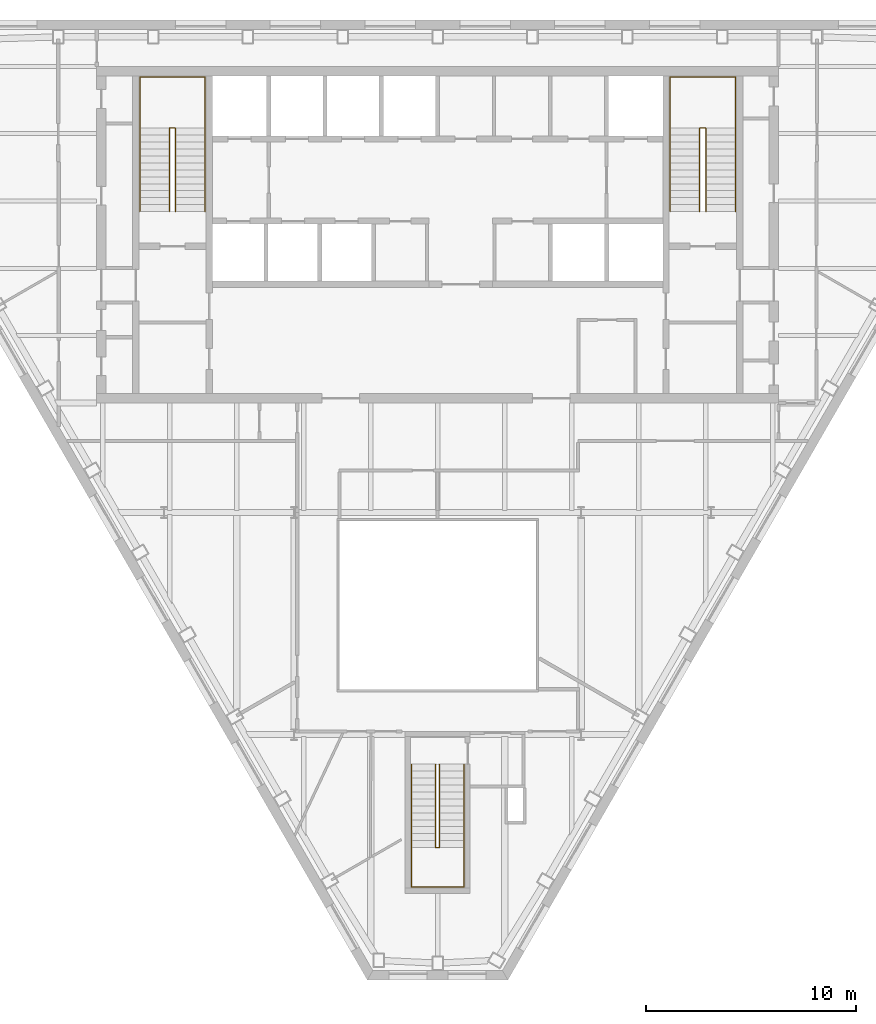
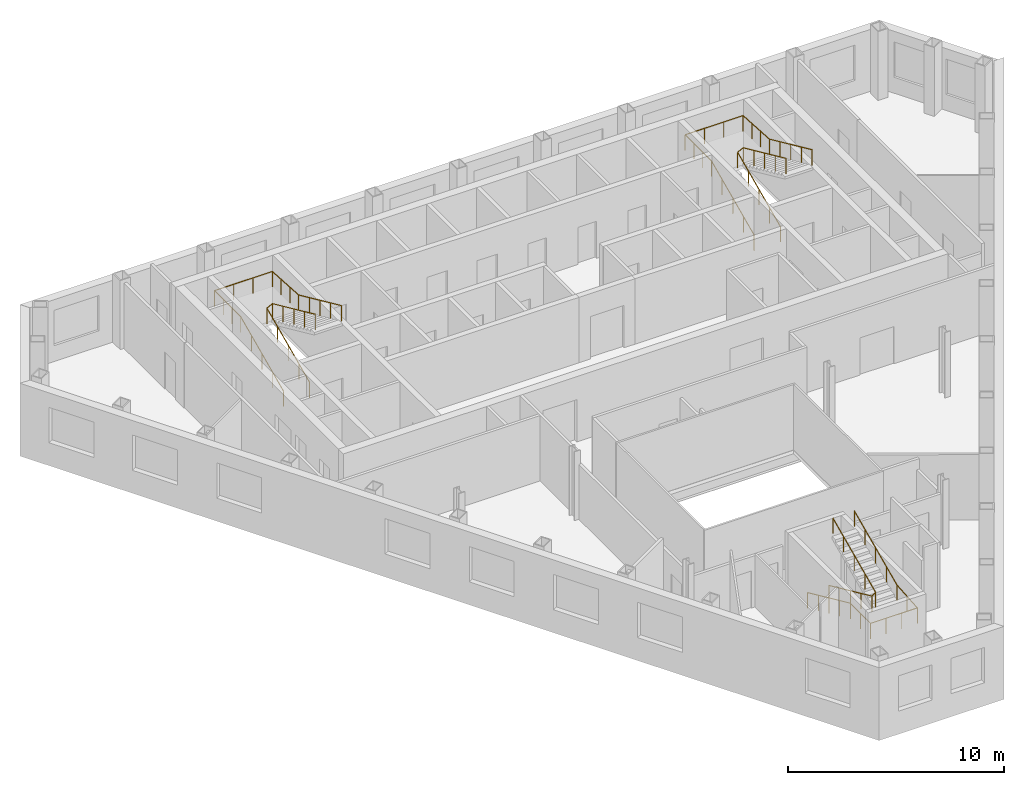
# One storey, part 10 of 10: 6 railings.
"""IFC4 building model written with IfcOpenShell, lengths in metres."""

from ifc_helpers import new_model, si_unit, direction, frame, origin, origin_2d, place, context, subcontext, project, spatial, circle, extrude, material, type_object, element, save


model = new_model("IFC4")

# Units and contexts
model_context = context("Model", 3, precision=1e-05, world=origin(), true_north=direction((0.0, 1.0)))
body_context = subcontext(model_context, "Body", "Model", "MODEL_VIEW")
ifc_project = project(units=[si_unit("LENGTHUNIT", "METRE"), si_unit("AREAUNIT", "SQUARE_METRE"), si_unit("VOLUMEUNIT", "CUBIC_METRE"), si_unit("PLANEANGLEUNIT", "RADIAN"), si_unit("MASSUNIT", "GRAM", prefix="KILO")], contexts=[model_context])

# Site, building, storey
site_placement = place(None, origin())
site = spatial("IfcSite", under=ifc_project, at=site_placement, CompositionType="ELEMENT")
building_placement = place(site_placement, origin())
building = spatial("IfcBuilding", under=site, at=building_placement, Name="Njiva Tower", CompositionType="ELEMENT")
storey_placement = place(building_placement, frame((0.0, 0.0, 235.5)))
storey = spatial("IfcBuildingStorey", under=building, at=storey_placement, Name="L53", CompositionType="ELEMENT", Elevation=235.5)

# Railings
ifc_material = material(Name="Stainless steel", Category="steel")
railing_type = type_object("IfcRailingType", Name="RL1 Stair handrail 900", PredefinedType="HANDRAIL", material=ifc_material)
railing_1_placement = place(storey_placement, frame((-14.15, 11.1, 0.15)))
element("IfcRailing", 1, at=railing_1_placement, inside=storey, type_object=railing_type, Name="Stair A handrail", PredefinedType="HANDRAIL", context=body_context, shape_type="SweptSolid", body=[
    extrude(circle(Radius=0.024, at=origin_2d()), frame((0.0, 0.0, 0.876), z_axis=(0.0, 0.910366477463, 0.413802944301), x_axis=(-1.0, 0.0, 0.0)), (0.0, 0.0, 1.0), 4.3499),
    extrude(circle(Radius=0.024, at=origin_2d()), frame((0.0, 3.96, 2.676), z_axis=(0.0, 1.0, 0.0), x_axis=(-1.0, 0.0, 0.0)), (0.0, 0.0, 1.0), 2.44),
    extrude(circle(Radius=0.024, at=origin_2d()), frame((0.0, 6.4, 2.676), z_axis=(1.0, 0.0, 0.0), x_axis=(0.0, 1.0, 0.0)), (0.0, 0.0, 1.0), 3.1),
    extrude(circle(Radius=0.024, at=origin_2d()), frame((3.1, 6.4, 2.676), z_axis=(0.0, -0.998115726137, 0.061359573328), x_axis=(1.0, 0.0, 0.0)), (0.0, 0.0, 1.0), 2.4446),
    extrude(circle(Radius=0.024, at=origin_2d()), frame((3.1, 3.96, 2.826), z_axis=(0.0, -0.910366477463, 0.413802944301), x_axis=(1.0, 0.0, 0.0)), (0.0, 0.0, 1.0), 4.3499),
    extrude(circle(Radius=0.021, at=origin_2d()), origin(), (0.0, 0.0, 1.0), 0.852),
    extrude(circle(Radius=0.021, at=origin_2d()), frame((0.0, 0.99, 0.45)), (0.0, 0.0, 1.0), 0.852),
    extrude(circle(Radius=0.021, at=origin_2d()), frame((0.0, 1.98, 0.9)), (0.0, 0.0, 1.0), 0.852),
    extrude(circle(Radius=0.021, at=origin_2d()), frame((0.0, 2.97, 1.35)), (0.0, 0.0, 1.0), 0.852),
    extrude(circle(Radius=0.021, at=origin_2d()), frame((0.0, 3.96, 1.8)), (0.0, 0.0, 1.0), 0.852),
    extrude(circle(Radius=0.021, at=origin_2d()), frame((0.0, 4.7733, 1.8)), (0.0, 0.0, 1.0), 0.852),
    extrude(circle(Radius=0.021, at=origin_2d()), frame((0.0, 5.5867, 1.8)), (0.0, 0.0, 1.0), 0.852),
    extrude(circle(Radius=0.021, at=origin_2d()), frame((0.0, 6.4, 1.8)), (0.0, 0.0, 1.0), 0.852),
    extrude(circle(Radius=0.021, at=origin_2d()), frame((1.0333, 6.4, 1.8)), (0.0, 0.0, 1.0), 0.852),
    extrude(circle(Radius=0.021, at=origin_2d()), frame((2.0667, 6.4, 1.8)), (0.0, 0.0, 1.0), 0.852),
    extrude(circle(Radius=0.021, at=origin_2d()), frame((3.1, 6.4, 1.8)), (0.0, 0.0, 1.0), 0.852),
    extrude(circle(Radius=0.021, at=origin_2d()), frame((3.1, 5.5867, 1.85)), (0.0, 0.0, 1.0), 0.852),
    extrude(circle(Radius=0.021, at=origin_2d()), frame((3.1, 4.7733, 1.9)), (0.0, 0.0, 1.0), 0.852),
    extrude(circle(Radius=0.021, at=origin_2d()), frame((3.1, 3.96, 1.95)), (0.0, 0.0, 1.0), 0.852),
    extrude(circle(Radius=0.021, at=origin_2d()), frame((3.1, 2.97, 2.4)), (0.0, 0.0, 1.0), 0.852),
    extrude(circle(Radius=0.021, at=origin_2d()), frame((3.1, 1.98, 2.85)), (0.0, 0.0, 1.0), 0.852),
    extrude(circle(Radius=0.021, at=origin_2d()), frame((3.1, 0.99, 3.3)), (0.0, 0.0, 1.0), 0.852),
    extrude(circle(Radius=0.021, at=origin_2d()), frame((3.1, 0.0, 3.75)), (0.0, 0.0, 1.0), 0.852),
])
railing_2_placement = place(storey_placement, frame((-12.75, 11.1, 0.15)))
element("IfcRailing", 2, at=railing_2_placement, inside=storey, type_object=railing_type, Name="Stair A handrail", PredefinedType="HANDRAIL", context=body_context, shape_type="SweptSolid", body=[
    extrude(circle(Radius=0.024, at=origin_2d()), frame((0.0, 0.0, 0.876), z_axis=(0.0, 0.910366477463, 0.413802944301), x_axis=(-1.0, 0.0, 0.0)), (0.0, 0.0, 1.0), 4.3499),
    extrude(circle(Radius=0.024, at=origin_2d()), frame((0.0, 3.96, 2.676), z_axis=(0.894427191, 0.0, 0.4472135955), x_axis=(0.0, 1.0, 0.0)), (0.0, 0.0, 1.0), 0.3354),
    extrude(circle(Radius=0.024, at=origin_2d()), frame((0.3, 3.96, 2.826), z_axis=(0.0, -0.910366477463, 0.413802944301), x_axis=(1.0, 0.0, 0.0)), (0.0, 0.0, 1.0), 4.3499),
    extrude(circle(Radius=0.021, at=origin_2d()), origin(), (0.0, 0.0, 1.0), 0.852),
    extrude(circle(Radius=0.021, at=origin_2d()), frame((0.0, 0.99, 0.45)), (0.0, 0.0, 1.0), 0.852),
    extrude(circle(Radius=0.021, at=origin_2d()), frame((0.0, 1.98, 0.9)), (0.0, 0.0, 1.0), 0.852),
    extrude(circle(Radius=0.021, at=origin_2d()), frame((0.0, 2.97, 1.35)), (0.0, 0.0, 1.0), 0.852),
    extrude(circle(Radius=0.021, at=origin_2d()), frame((0.0, 3.96, 1.8)), (0.0, 0.0, 1.0), 0.852),
    extrude(circle(Radius=0.021, at=origin_2d()), frame((0.3, 3.96, 1.95)), (0.0, 0.0, 1.0), 0.852),
    extrude(circle(Radius=0.021, at=origin_2d()), frame((0.3, 2.97, 2.4)), (0.0, 0.0, 1.0), 0.852),
    extrude(circle(Radius=0.021, at=origin_2d()), frame((0.3, 1.98, 2.85)), (0.0, 0.0, 1.0), 0.852),
    extrude(circle(Radius=0.021, at=origin_2d()), frame((0.3, 0.99, 3.3)), (0.0, 0.0, 1.0), 0.852),
    extrude(circle(Radius=0.021, at=origin_2d()), frame((0.3, 0.0, 3.75)), (0.0, 0.0, 1.0), 0.852),
])
railing_3_placement = place(storey_placement, frame((11.05, 11.1, 0.15)))
element("IfcRailing", 3, at=railing_3_placement, inside=storey, type_object=railing_type, Name="Stair B handrail", PredefinedType="HANDRAIL", context=body_context, shape_type="SweptSolid", body=[
    extrude(circle(Radius=0.024, at=origin_2d()), frame((0.0, 0.0, 0.876), z_axis=(0.0, 0.910366477463, 0.413802944301), x_axis=(-1.0, 0.0, 0.0)), (0.0, 0.0, 1.0), 4.3499),
    extrude(circle(Radius=0.024, at=origin_2d()), frame((0.0, 3.96, 2.676), z_axis=(0.0, 1.0, 0.0), x_axis=(-1.0, 0.0, 0.0)), (0.0, 0.0, 1.0), 2.44),
    extrude(circle(Radius=0.024, at=origin_2d()), frame((0.0, 6.4, 2.676), z_axis=(1.0, 0.0, 0.0), x_axis=(0.0, 1.0, 0.0)), (0.0, 0.0, 1.0), 3.1),
    extrude(circle(Radius=0.024, at=origin_2d()), frame((3.1, 6.4, 2.676), z_axis=(0.0, -0.998115726137, 0.061359573328), x_axis=(1.0, 0.0, 0.0)), (0.0, 0.0, 1.0), 2.4446),
    extrude(circle(Radius=0.024, at=origin_2d()), frame((3.1, 3.96, 2.826), z_axis=(0.0, -0.910366477463, 0.413802944301), x_axis=(1.0, 0.0, 0.0)), (0.0, 0.0, 1.0), 4.3499),
    extrude(circle(Radius=0.021, at=origin_2d()), origin(), (0.0, 0.0, 1.0), 0.852),
    extrude(circle(Radius=0.021, at=origin_2d()), frame((0.0, 0.99, 0.45)), (0.0, 0.0, 1.0), 0.852),
    extrude(circle(Radius=0.021, at=origin_2d()), frame((0.0, 1.98, 0.9)), (0.0, 0.0, 1.0), 0.852),
    extrude(circle(Radius=0.021, at=origin_2d()), frame((0.0, 2.97, 1.35)), (0.0, 0.0, 1.0), 0.852),
    extrude(circle(Radius=0.021, at=origin_2d()), frame((0.0, 3.96, 1.8)), (0.0, 0.0, 1.0), 0.852),
    extrude(circle(Radius=0.021, at=origin_2d()), frame((0.0, 4.7733, 1.8)), (0.0, 0.0, 1.0), 0.852),
    extrude(circle(Radius=0.021, at=origin_2d()), frame((0.0, 5.5867, 1.8)), (0.0, 0.0, 1.0), 0.852),
    extrude(circle(Radius=0.021, at=origin_2d()), frame((0.0, 6.4, 1.8)), (0.0, 0.0, 1.0), 0.852),
    extrude(circle(Radius=0.021, at=origin_2d()), frame((1.0333, 6.4, 1.8)), (0.0, 0.0, 1.0), 0.852),
    extrude(circle(Radius=0.021, at=origin_2d()), frame((2.0667, 6.4, 1.8)), (0.0, 0.0, 1.0), 0.852),
    extrude(circle(Radius=0.021, at=origin_2d()), frame((3.1, 6.4, 1.8)), (0.0, 0.0, 1.0), 0.852),
    extrude(circle(Radius=0.021, at=origin_2d()), frame((3.1, 5.5867, 1.85)), (0.0, 0.0, 1.0), 0.852),
    extrude(circle(Radius=0.021, at=origin_2d()), frame((3.1, 4.7733, 1.9)), (0.0, 0.0, 1.0), 0.852),
    extrude(circle(Radius=0.021, at=origin_2d()), frame((3.1, 3.96, 1.95)), (0.0, 0.0, 1.0), 0.852),
    extrude(circle(Radius=0.021, at=origin_2d()), frame((3.1, 2.97, 2.4)), (0.0, 0.0, 1.0), 0.852),
    extrude(circle(Radius=0.021, at=origin_2d()), frame((3.1, 1.98, 2.85)), (0.0, 0.0, 1.0), 0.852),
    extrude(circle(Radius=0.021, at=origin_2d()), frame((3.1, 0.99, 3.3)), (0.0, 0.0, 1.0), 0.852),
    extrude(circle(Radius=0.021, at=origin_2d()), frame((3.1, 0.0, 3.75)), (0.0, 0.0, 1.0), 0.852),
])
railing_4_placement = place(storey_placement, frame((12.45, 11.1, 0.15)))
element("IfcRailing", 4, at=railing_4_placement, inside=storey, type_object=railing_type, Name="Stair B handrail", PredefinedType="HANDRAIL", context=body_context, shape_type="SweptSolid", body=[
    extrude(circle(Radius=0.024, at=origin_2d()), frame((0.0, 0.0, 0.876), z_axis=(0.0, 0.910366477463, 0.413802944301), x_axis=(-1.0, 0.0, 0.0)), (0.0, 0.0, 1.0), 4.3499),
    extrude(circle(Radius=0.024, at=origin_2d()), frame((0.0, 3.96, 2.676), z_axis=(0.894427191, 0.0, 0.4472135955), x_axis=(0.0, 1.0, 0.0)), (0.0, 0.0, 1.0), 0.3354),
    extrude(circle(Radius=0.024, at=origin_2d()), frame((0.3, 3.96, 2.826), z_axis=(0.0, -0.910366477463, 0.413802944301), x_axis=(1.0, 0.0, 0.0)), (0.0, 0.0, 1.0), 4.3499),
    extrude(circle(Radius=0.021, at=origin_2d()), origin(), (0.0, 0.0, 1.0), 0.852),
    extrude(circle(Radius=0.021, at=origin_2d()), frame((0.0, 0.99, 0.45)), (0.0, 0.0, 1.0), 0.852),
    extrude(circle(Radius=0.021, at=origin_2d()), frame((0.0, 1.98, 0.9)), (0.0, 0.0, 1.0), 0.852),
    extrude(circle(Radius=0.021, at=origin_2d()), frame((0.0, 2.97, 1.35)), (0.0, 0.0, 1.0), 0.852),
    extrude(circle(Radius=0.021, at=origin_2d()), frame((0.0, 3.96, 1.8)), (0.0, 0.0, 1.0), 0.852),
    extrude(circle(Radius=0.021, at=origin_2d()), frame((0.3, 3.96, 1.95)), (0.0, 0.0, 1.0), 0.852),
    extrude(circle(Radius=0.021, at=origin_2d()), frame((0.3, 2.97, 2.4)), (0.0, 0.0, 1.0), 0.852),
    extrude(circle(Radius=0.021, at=origin_2d()), frame((0.3, 1.98, 2.85)), (0.0, 0.0, 1.0), 0.852),
    extrude(circle(Radius=0.021, at=origin_2d()), frame((0.3, 0.99, 3.3)), (0.0, 0.0, 1.0), 0.852),
    extrude(circle(Radius=0.021, at=origin_2d()), frame((0.3, 0.0, 3.75)), (0.0, 0.0, 1.0), 0.852),
])
railing_5_placement = place(storey_placement, frame((-1.25, -15.16, 0.15)))
element("IfcRailing", 5, at=railing_5_placement, inside=storey, type_object=railing_type, Name="Stair C handrail", PredefinedType="HANDRAIL", context=body_context, shape_type="SweptSolid", body=[
    extrude(circle(Radius=0.024, at=origin_2d()), frame((0.0, 0.0, 0.876), z_axis=(0.0, -0.910366477463, 0.413802944301), x_axis=(1.0, 0.0, 0.0)), (0.0, 0.0, 1.0), 4.3499),
    extrude(circle(Radius=0.024, at=origin_2d()), frame((0.0, -3.96, 2.676), z_axis=(0.0, -1.0, 0.0), x_axis=(1.0, 0.0, 0.0)), (0.0, 0.0, 1.0), 1.88),
    extrude(circle(Radius=0.024, at=origin_2d()), frame((0.0, -5.84, 2.676), z_axis=(1.0, 0.0, 0.0), x_axis=(0.0, 1.0, 0.0)), (0.0, 0.0, 1.0), 2.5),
    extrude(circle(Radius=0.024, at=origin_2d()), frame((2.5, -5.84, 2.676), z_axis=(0.0, 0.996832115713, 0.079534477318), x_axis=(-1.0, 0.0, 0.0)), (0.0, 0.0, 1.0), 1.886),
    extrude(circle(Radius=0.024, at=origin_2d()), frame((2.5, -3.96, 2.826), z_axis=(0.0, 0.910366477463, 0.413802944301), x_axis=(-1.0, 0.0, 0.0)), (0.0, 0.0, 1.0), 4.3499),
    extrude(circle(Radius=0.021, at=origin_2d()), origin(), (0.0, 0.0, 1.0), 0.852),
    extrude(circle(Radius=0.021, at=origin_2d()), frame((0.0, -0.99, 0.45)), (0.0, 0.0, 1.0), 0.852),
    extrude(circle(Radius=0.021, at=origin_2d()), frame((0.0, -1.98, 0.9)), (0.0, 0.0, 1.0), 0.852),
    extrude(circle(Radius=0.021, at=origin_2d()), frame((0.0, -2.97, 1.35)), (0.0, 0.0, 1.0), 0.852),
    extrude(circle(Radius=0.021, at=origin_2d()), frame((0.0, -3.96, 1.8)), (0.0, 0.0, 1.0), 0.852),
    extrude(circle(Radius=0.021, at=origin_2d()), frame((0.0, -4.9, 1.8)), (0.0, 0.0, 1.0), 0.852),
    extrude(circle(Radius=0.021, at=origin_2d()), frame((0.0, -5.84, 1.8)), (0.0, 0.0, 1.0), 0.852),
    extrude(circle(Radius=0.021, at=origin_2d()), frame((0.8333, -5.84, 1.8)), (0.0, 0.0, 1.0), 0.852),
    extrude(circle(Radius=0.021, at=origin_2d()), frame((1.6667, -5.84, 1.8)), (0.0, 0.0, 1.0), 0.852),
    extrude(circle(Radius=0.021, at=origin_2d()), frame((2.5, -5.84, 1.8)), (0.0, 0.0, 1.0), 0.852),
    extrude(circle(Radius=0.021, at=origin_2d()), frame((2.5, -4.9, 1.875)), (0.0, 0.0, 1.0), 0.852),
    extrude(circle(Radius=0.021, at=origin_2d()), frame((2.5, -3.96, 1.95)), (0.0, 0.0, 1.0), 0.852),
    extrude(circle(Radius=0.021, at=origin_2d()), frame((2.5, -2.97, 2.4)), (0.0, 0.0, 1.0), 0.852),
    extrude(circle(Radius=0.021, at=origin_2d()), frame((2.5, -1.98, 2.85)), (0.0, 0.0, 1.0), 0.852),
    extrude(circle(Radius=0.021, at=origin_2d()), frame((2.5, -0.99, 3.3)), (0.0, 0.0, 1.0), 0.852),
    extrude(circle(Radius=0.021, at=origin_2d()), frame((2.5, 0.0, 3.75)), (0.0, 0.0, 1.0), 0.852),
])
railing_6_placement = place(storey_placement, frame((-0.1, -15.16, 0.15)))
element("IfcRailing", 6, at=railing_6_placement, inside=storey, type_object=railing_type, Name="Stair C handrail", PredefinedType="HANDRAIL", context=body_context, shape_type="SweptSolid", body=[
    extrude(circle(Radius=0.024, at=origin_2d()), frame((0.0, 0.0, 0.876), z_axis=(0.0, -0.910366477463, 0.413802944301), x_axis=(1.0, 0.0, 0.0)), (0.0, 0.0, 1.0), 4.3499),
    extrude(circle(Radius=0.024, at=origin_2d()), frame((0.0, -3.96, 2.676), z_axis=(0.8, 0.0, 0.6), x_axis=(0.0, 1.0, 0.0)), (0.0, 0.0, 1.0), 0.25),
    extrude(circle(Radius=0.024, at=origin_2d()), frame((0.2, -3.96, 2.826), z_axis=(0.0, 0.910366477463, 0.413802944301), x_axis=(-1.0, 0.0, 0.0)), (0.0, 0.0, 1.0), 4.3499),
    extrude(circle(Radius=0.021, at=origin_2d()), origin(), (0.0, 0.0, 1.0), 0.852),
    extrude(circle(Radius=0.021, at=origin_2d()), frame((0.0, -0.99, 0.45)), (0.0, 0.0, 1.0), 0.852),
    extrude(circle(Radius=0.021, at=origin_2d()), frame((0.0, -1.98, 0.9)), (0.0, 0.0, 1.0), 0.852),
    extrude(circle(Radius=0.021, at=origin_2d()), frame((0.0, -2.97, 1.35)), (0.0, 0.0, 1.0), 0.852),
    extrude(circle(Radius=0.021, at=origin_2d()), frame((0.0, -3.96, 1.8)), (0.0, 0.0, 1.0), 0.852),
    extrude(circle(Radius=0.021, at=origin_2d()), frame((0.2, -3.96, 1.95)), (0.0, 0.0, 1.0), 0.852),
    extrude(circle(Radius=0.021, at=origin_2d()), frame((0.2, -2.97, 2.4)), (0.0, 0.0, 1.0), 0.852),
    extrude(circle(Radius=0.021, at=origin_2d()), frame((0.2, -1.98, 2.85)), (0.0, 0.0, 1.0), 0.852),
    extrude(circle(Radius=0.021, at=origin_2d()), frame((0.2, -0.99, 3.3)), (0.0, 0.0, 1.0), 0.852),
    extrude(circle(Radius=0.021, at=origin_2d()), frame((0.2, 0.0, 3.75)), (0.0, 0.0, 1.0), 0.852),
])

save(model, "model.ifc")
